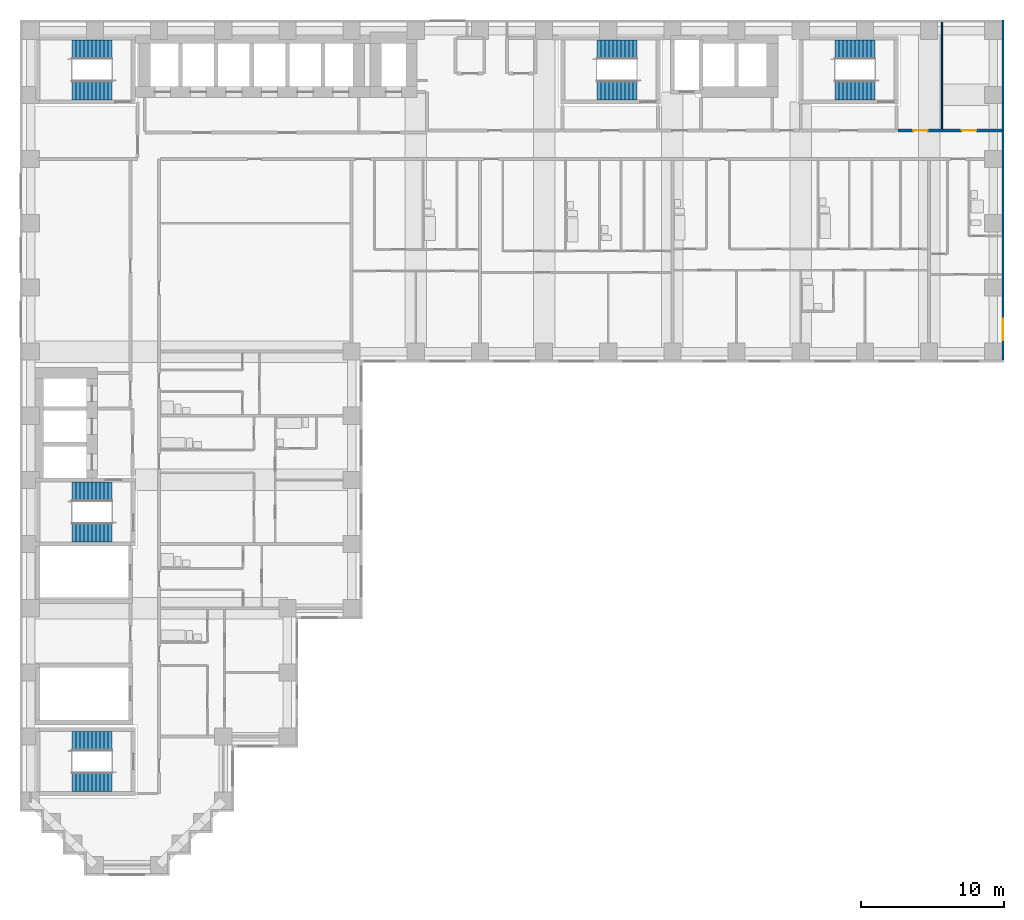
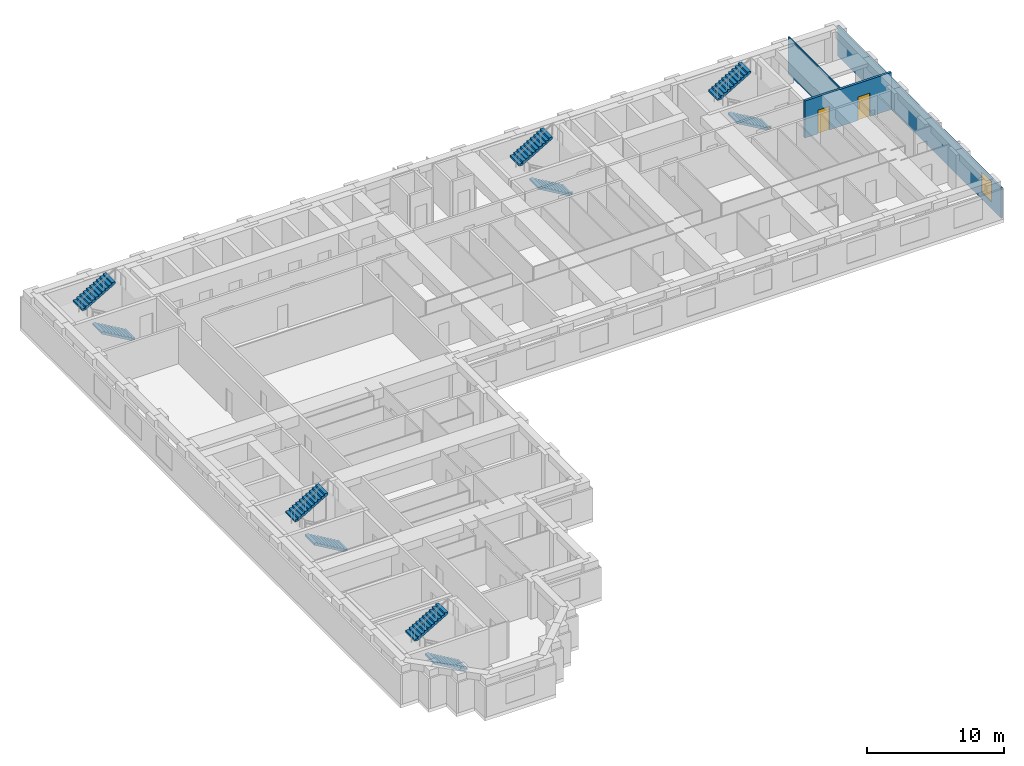
# One storey, part 9 of 11: 10 stair flights, 3 walls, 2 doors, 1 window, 3 openings, 5 elements without a shape of their own.
"""IFC4 building model written with IfcOpenShell, lengths in metres."""

import ifcopenshell
import ifcopenshell.guid

model = None  # the IFC model being written
_history = None  # IfcOwnerHistory: only IFC2X3 demands one
_inside = {}  # id of a spatial element -> (the spatial element, [elements in it])
_under = {}  # id of a project, library or spatial element -> (it, [spatial elements below it])
_declared = {}  # id of a project -> (the project, [libraries it declares])
_typed = {}  # id of a type object -> (the type object, [elements of that type])
_made_of = {}  # id of a material, layer set ... -> (it, [elements and type objects made of it])


def new_model(schema):
    """Start an empty IFC model of exactly this schema.

    Asked for "IFC4X3", IfcOpenShell would pick the latest addendum, in which some entities
    have other attributes; the version numbers below select the first issue.
    IFC2X3 requires an IfcOwnerHistory on every rooted entity: one is made here for all.
    """
    global model, _history
    if schema == "IFC4X3":
        model = ifcopenshell.file(schema_version=(4, 3, 0, 0))
    else:
        model = ifcopenshell.file(schema=schema)
    _inside.clear()
    _under.clear()
    _declared.clear()
    _typed.clear()
    _made_of.clear()
    _history = None
    if model.schema == "IFC2X3":
        org = make("IfcOrganization", Name="unknown")
        user = make(
            "IfcPersonAndOrganization",
            ThePerson=make("IfcPerson", FamilyName="unknown"),
            TheOrganization=org,
        )
        app = make(
            "IfcApplication",
            ApplicationDeveloper=org,
            Version="unknown",
            ApplicationFullName="unknown",
            ApplicationIdentifier="unknown",
        )
        _history = make(
            "IfcOwnerHistory",
            OwningUser=user,
            OwningApplication=app,
            ChangeAction="ADDED",
            CreationDate=0,
        )
    return model


def make(cls, **values):
    """One entity of the class cls with the attributes given. An attribute that is None is left unset."""
    return model.create_entity(
        cls, **{name: value for name, value in values.items() if value is not None}
    )


def rooted(cls, **values):
    """An entity with a GlobalId (a new one), such as an element, a storey or a relation."""
    return make(cls, GlobalId=ifcopenshell.guid.new(), OwnerHistory=_history, **values)


def si_unit(unit_type, name, prefix=None):
    """IfcSIUnit, for example si_unit("LENGTHUNIT", "METRE", prefix="MILLI")."""
    return make("IfcSIUnit", UnitType=unit_type, Prefix=prefix, Name=name)


def assignment(units):
    """IfcUnitAssignment: the units of a project."""
    return None if units is None else make("IfcUnitAssignment", Units=units)


def point(xyz):
    """IfcCartesianPoint."""
    return None if xyz is None else make("IfcCartesianPoint", Coordinates=xyz)


def direction(xyz):
    """IfcDirection."""
    return None if xyz is None else make("IfcDirection", DirectionRatios=xyz)


def frame(location, z_axis=None, x_axis=None):
    """IfcAxis2Placement3D, a coordinate frame: its origin and axes. An axis left out is left unset."""
    return make(
        "IfcAxis2Placement3D",
        Location=point(location),
        Axis=direction(z_axis),
        RefDirection=direction(x_axis),
    )


def frame_2d(location, x_axis=None):
    """IfcAxis2Placement2D, a coordinate frame in the plane: its origin and x axis."""
    return make(
        "IfcAxis2Placement2D", Location=point(location), RefDirection=direction(x_axis)
    )


def origin():
    """The frame at (0, 0, 0) with its axes left unset."""
    return frame((0.0, 0.0, 0.0))


def place(relative_to, where):
    """IfcLocalPlacement: puts the frame where relative to a parent placement (None: the world)."""
    return make(
        "IfcLocalPlacement", PlacementRelTo=relative_to, RelativePlacement=where
    )


def context(
    kind, dimensions, precision=None, world=None, true_north=None, identifier=None
):
    """IfcGeometricRepresentationContext, for example the 3D "Model" context."""
    return make(
        "IfcGeometricRepresentationContext",
        ContextIdentifier=identifier,
        ContextType=kind,
        CoordinateSpaceDimension=dimensions,
        Precision=precision,
        WorldCoordinateSystem=world,
        TrueNorth=true_north,
    )


def subcontext(parent, identifier, kind, view, scale=None):
    """IfcGeometricRepresentationSubContext, for example "Body" below "Model"."""
    return make(
        "IfcGeometricRepresentationSubContext",
        ContextIdentifier=identifier,
        ContextType=kind,
        ParentContext=parent,
        TargetScale=scale,
        TargetView=view,
    )


def project(units=None, contexts=None):
    """IfcProject with its units and contexts."""
    return rooted(
        "IfcProject",
        Name="project",
        RepresentationContexts=contexts,
        UnitsInContext=assignment(units),
    )


def spatial(cls, under=None, at=None, **own):
    """A site, building, storey or space (cls), placed at a placement, below another one or the project."""
    s = rooted(cls, ObjectPlacement=at, **own)
    if under is not None:
        _under.setdefault(under.id(), (under, []))[1].append(s)
    return s


def polyline(points):
    """IfcPolyline through the points."""
    return make("IfcPolyline", Points=[point(p) for p in points])


def profile(cls, at=None, kind="AREA", **sizes):
    """A parametric profile (cls). Its sizes go by their IFC names, for example OverallWidth=200.0."""
    return make(cls, ProfileType=kind, Position=at, **sizes)


def rectangle(**sizes):
    """IfcRectangleProfileDef."""
    return profile("IfcRectangleProfileDef", **sizes)


def outline(outer, holes=None, kind="AREA"):
    """IfcArbitraryClosedProfileDef: a profile drawn as a closed curve; with holes, ...WithVoids."""
    if holes is None:
        return make("IfcArbitraryClosedProfileDef", ProfileType=kind, OuterCurve=outer)
    return make(
        "IfcArbitraryProfileDefWithVoids",
        ProfileType=kind,
        OuterCurve=outer,
        InnerCurves=holes,
    )


def extrude(swept, where, along, depth):
    """IfcExtrudedAreaSolid: the profile swept, set in the frame where, extruded along a direction by depth."""
    return make(
        "IfcExtrudedAreaSolid",
        SweptArea=swept,
        Position=where,
        ExtrudedDirection=direction(along),
        Depth=depth,
    )


def shape(context_of_items, identifier, shape_type, items):
    """IfcShapeRepresentation: the items that make up one representation, for example the "Body"."""
    return make(
        "IfcShapeRepresentation",
        ContextOfItems=context_of_items,
        RepresentationIdentifier=identifier,
        RepresentationType=shape_type,
        Items=items,
    )


def material(Name=None, Category=None):
    """IfcMaterial."""
    return make("IfcMaterial", Name=Name, Category=Category)


def layer(
    of_material, thickness, ventilated=None, Name=None, Category=None, Priority=None
):
    """IfcMaterialLayer: one layer of a wall or slab, of a material (None: an air gap)."""
    return make(
        "IfcMaterialLayer",
        Material=of_material,
        LayerThickness=thickness,
        IsVentilated=ventilated,
        Name=Name,
        Category=Category,
        Priority=Priority,
    )


def layer_set(layers, Name=None):
    """IfcMaterialLayerSet."""
    return make("IfcMaterialLayerSet", MaterialLayers=layers, LayerSetName=Name)


def made_of(thing, what):
    """Note that an element or type object is made of a material, layer set ...; save() writes the relation."""
    if what is not None:
        _made_of.setdefault(what.id(), (what, []))[1].append(thing)
    return thing


def type_object(cls, material=None, **own):
    """A type object (cls), such as IfcWallType, which elements share."""
    return made_of(rooted(cls, **own), material)


def element(
    cls,
    number,
    at=None,
    inside=None,
    cuts=None,
    type_object=None,
    material=None,
    context=None,
    identifier="Body",
    shape_type=None,
    held_by="IfcProductDefinitionShape",
    body=None,
    shapes=None,
    **own,
):
    """One element of the class cls, such as IfcWall. Its Tag is "e" and its number.

    at: its placement. inside: the storey or other place that contains it. cuts: it is an
    opening in that element (IfcRelVoidsElement). A single representation is given by context,
    identifier, shape_type and body (its items); several are given by shapes. held_by: the class
    of the entity that holds the representations. save() writes the other relations.
    """
    e = rooted(cls, Tag="e%d" % number, ObjectPlacement=at, **own)
    if body is not None:
        shapes = [shape(context, identifier, shape_type, body)]
    if shapes is not None:
        e.Representation = make(held_by, Representations=shapes)
    if inside is not None:
        _inside.setdefault(inside.id(), (inside, []))[1].append(e)
    if cuts is not None:
        rooted(
            "IfcRelVoidsElement", RelatingBuildingElement=cuts, RelatedOpeningElement=e
        )
    if type_object is not None:
        _typed.setdefault(type_object.id(), (type_object, []))[1].append(e)
    return made_of(e, material)


def fill(opening, filler):
    """IfcRelFillsElement: the door or window that sits in an opening."""
    return rooted(
        "IfcRelFillsElement",
        RelatingOpeningElement=opening,
        RelatedBuildingElement=filler,
    )


def aggregate(whole, parts):
    """IfcRelAggregates: a whole, such as a stair, and the parts it consists of."""
    return rooted("IfcRelAggregates", RelatingObject=whole, RelatedObjects=parts)


def save(model, path):
    """Write the relations noted so far, then the file.

    IfcRelAggregates (storeys below a building ...), IfcRelContainedInSpatialStructure (elements
    in a storey), IfcRelDefinesByType, IfcRelAssociatesMaterial and IfcRelDeclares: one each for
    every whole, place, type object, material and project.
    """
    for whole, parts in _under.values():
        aggregate(whole, parts)
    for where, things in _inside.values():
        rooted(
            "IfcRelContainedInSpatialStructure",
            RelatedElements=things,
            RelatingStructure=where,
        )
    for kind, things in _typed.values():
        rooted("IfcRelDefinesByType", RelatedObjects=things, RelatingType=kind)
    for what, things in _made_of.values():
        rooted("IfcRelAssociatesMaterial", RelatedObjects=things, RelatingMaterial=what)
    for by, libraries in _declared.values():
        rooted("IfcRelDeclares", RelatingContext=by, RelatedDefinitions=libraries)
    model.write(path)


model = new_model("IFC4")

# Units and contexts
model_context = context("Model", 3, precision=1e-05, world=origin(), true_north=direction((0.0, 1.0)))
body_context = subcontext(model_context, "Body", "Model", "MODEL_VIEW")
ifc_project = project(units=[si_unit("LENGTHUNIT", "METRE"), si_unit("AREAUNIT", "SQUARE_METRE"), si_unit("VOLUMEUNIT", "CUBIC_METRE"), si_unit("PLANEANGLEUNIT", "RADIAN"), si_unit("MASSUNIT", "GRAM", prefix="KILO")], contexts=[model_context])

# Site, building, storey
site_placement = place(None, origin())
site = spatial("IfcSite", under=ifc_project, at=site_placement, CompositionType="ELEMENT")
building_placement = place(site_placement, origin())
building = spatial("IfcBuilding", under=site, at=building_placement, Name="Firuza Court", CompositionType="ELEMENT")
storey_placement = place(building_placement, frame((0.0, 0.0, 86.60009765625)))
storey = spatial("IfcBuildingStorey", under=building, at=storey_placement, Name="L21", CompositionType="ELEMENT", Elevation=86.60009765625)

# Wall, openings, doors
ifc_material_1 = material(Name="Blockwork, plastered both sides", Category="masonry")
ifc_layer_1 = layer(ifc_material_1, 0.199951171875)
ifc_layer_set_1 = layer_set([ifc_layer_1], Name="Blockwork, plastered both sides")
wall_type_1 = type_object("IfcWallType", Name="Corridor wall 200", PredefinedType="PARTITIONING", material=ifc_layer_set_1)
wall_1_placement = place(storey_placement, frame((60.800048828125, 51.5, 0.0), z_axis=(0.0, 0.0, 1.0), x_axis=(1.0, 0.0, 0.0)))
wall_1 = element("IfcWall", 1, at=wall_1_placement, inside=storey, type_object=wall_type_1, Name="Corridor wall 200 L21", PredefinedType="PARTITIONING", context=body_context, shape_type="SweptSolid", body=[
    extrude(rectangle(XDim=7.300048828125, YDim=0.199951171875, at=frame_2d((3.64990234375, 0.0))), origin(), (0.0, 0.0, 1.0), 3.2998046875),
])
opening_1_placement = place(wall_1_placement, frame((1.10009765625, 0.0, 0.0)))
opening_1 = element("IfcOpeningElement", 2, at=opening_1_placement, cuts=wall_1, Name="Opening D21076", PredefinedType="OPENING", context=body_context, shape_type="SweptSolid", body=[
    extrude(rectangle(XDim=1.0, YDim=2.10009765625, at=frame_2d((0.5, 1.050048828125))), frame((0.0, 0.11181640625, 0.0), z_axis=(0.0, -1.0, 0.0), x_axis=(1.0, 0.0, 0.0)), (0.0, 0.0, 1.0), 0.223876953125),
])
opening_2_placement = place(wall_1_placement, frame((4.5, 0.0, 0.0)))
opening_2 = element("IfcOpeningElement", 3, at=opening_2_placement, cuts=wall_1, Name="Opening D21077", PredefinedType="OPENING", context=body_context, shape_type="SweptSolid", body=[
    extrude(rectangle(XDim=1.0, YDim=2.10009765625, at=frame_2d((0.5, 1.050048828125))), frame((0.0, 0.11181640625, 0.0), z_axis=(0.0, -1.0, 0.0), x_axis=(1.0, 0.0, 0.0)), (0.0, 0.0, 1.0), 0.223876953125),
])
ifc_material_2 = material(Name="Timber door leaf in hardwood frame", Category="wood")
door_type = type_object("IfcDoorType", Name="Store door 1000", OperationType="SINGLE_SWING_LEFT", PredefinedType="DOOR", material=ifc_material_2)
door_1_placement = place(opening_1_placement, origin())
door_1 = element("IfcDoor", 4, at=door_1_placement, inside=storey, type_object=door_type, Name="Parcel room door", OperationType="SINGLE_SWING_LEFT", OverallHeight=2.10009765625, OverallWidth=1.0, PredefinedType="DOOR", context=body_context, shape_type="SweptSolid", body=[
    extrude(rectangle(XDim=1.0, YDim=2.10009765625, at=frame_2d((0.5, 1.050048828125))), frame((0.0, 0.02490234375, 0.0), z_axis=(0.0, -1.0, 0.0), x_axis=(1.0, 0.0, 0.0)), (0.0, 0.0, 1.0), 0.050048828125),
])
fill(opening_1, door_1)
door_2_placement = place(opening_2_placement, origin())
door_2 = element("IfcDoor", 5, at=door_2_placement, inside=storey, type_object=door_type, Name="Cleaner's store door", OperationType="SINGLE_SWING_LEFT", OverallHeight=2.10009765625, OverallWidth=1.0, PredefinedType="DOOR", context=body_context, shape_type="SweptSolid", body=[
    extrude(rectangle(XDim=1.0, YDim=2.10009765625, at=frame_2d((0.5, 1.050048828125))), frame((0.0, 0.02490234375, 0.0), z_axis=(0.0, -1.0, 0.0), x_axis=(1.0, 0.0, 0.0)), (0.0, 0.0, 1.0), 0.050048828125),
])
fill(opening_2, door_2)

# Wall
ifc_material_3 = material(Name="Timber stud partition, plasterboard both sides", Category="wood")
ifc_layer_2 = layer(ifc_material_3, 0.10009765625)
ifc_layer_set_2 = layer_set([ifc_layer_2], Name="Timber stud partition, plasterboard both sides")
wall_type_2 = type_object("IfcWallType", Name="Partition wall 100", PredefinedType="PARTITIONING", material=ifc_layer_set_2)
wall_2_placement = place(storey_placement, frame((63.89990234375, 51.60009765625, 0.0), z_axis=(0.0, 0.0, 1.0), x_axis=(0.0, 1.0, 0.0)))
element("IfcWall", 6, at=wall_2_placement, inside=storey, type_object=wall_type_2, Name="Partition wall 100 L21", PredefinedType="PARTITIONING", context=body_context, shape_type="SweptSolid", body=[
    extrude(rectangle(XDim=7.5, YDim=0.10009765625, at=frame_2d((3.75, 0.0))), origin(), (0.0, 0.0, 1.0), 3.2998046875),
])

# Wall, opening, window
ifc_material_4 = material(Name="Ceramic tile", Category="ceramic")
ifc_layer_3 = layer(ifc_material_4, 0.02001953125)
ifc_material_5 = material(Name="Mineral wool insulation", Category="insulation")
ifc_layer_4 = layer(ifc_material_5, 0.050048828125)
ifc_material_6 = material(Name="Concrete C40/50 precast", Category="concrete")
ifc_layer_5 = layer(ifc_material_6, 0.080078125)
ifc_layer_set_3 = layer_set([ifc_layer_3, ifc_layer_4, ifc_layer_5], Name="Concrete C40/50 precast")
wall_type_3 = type_object("IfcWallType", Name="Precast cladding wall with turquoise TILE PANEL face 150", PredefinedType="STANDARD", material=ifc_layer_set_3)
wall_3_placement = place(storey_placement, frame((68.175048828125, 35.39990234375, 0.0), z_axis=(0.0, 0.0, 1.0), x_axis=(0.0, 1.0, 0.0)))
wall_3 = element("IfcWall", 7, at=wall_3_placement, inside=storey, type_object=wall_type_3, Name="Facade wall L21 E", PredefinedType="STANDARD", context=body_context, shape_type="SweptSolid", body=[
    extrude(rectangle(XDim=23.85009765625, YDim=0.14990234375, at=frame_2d((11.925048828125, 0.0))), origin(), (0.0, 0.0, 1.0), 2.699951171875),
])
opening_3_placement = place(wall_3_placement, frame((1.4033203125, 0.0, 0.60009765625)))
opening_3 = element("IfcOpeningElement", 8, at=opening_3_placement, cuts=wall_3, Name="Opening W2", PredefinedType="OPENING", context=body_context, shape_type="SweptSolid", body=[
    extrude(rectangle(XDim=1.5, YDim=1.800048828125, at=frame_2d((0.75, 0.89990234375))), frame((0.0, 0.0869140625, 0.0), z_axis=(0.0, -1.0, 0.0), x_axis=(1.0, 0.0, 0.0)), (0.0, 0.0, 1.0), 0.173828125),
])
ifc_material_7 = material(Name="Aluminium frame, triple clear glazing", Category="aluminium")
window_type = type_object("IfcWindowType", Name="Window W2 1500 x 1800", PartitioningType="SINGLE_PANEL", PredefinedType="WINDOW", material=ifc_material_7)
window_placement = place(opening_3_placement, origin())
window = element("IfcWindow", 9, at=window_placement, inside=storey, type_object=window_type, Name="Window L21", OverallHeight=1.800048828125, OverallWidth=1.5, PartitioningType="SINGLE_PANEL", PredefinedType="WINDOW", context=body_context, shape_type="SweptSolid", body=[
    extrude(rectangle(XDim=1.5, YDim=1.800048828125, at=frame_2d((0.75, 0.89990234375))), frame((0.0, 0.030029296875, 0.0), z_axis=(0.0, -1.0, 0.0), x_axis=(1.0, 0.0, 0.0)), (0.0, 0.0, 1.0), 0.06005859375),
])
fill(opening_3, window)

# Stair, stair flights
ifc_material_8 = material(Name="Concrete C40/50 precast", Category="concrete")
stair_type = type_object("IfcStairType", Name="Stair 1350 x 3600 2 flights", PredefinedType="HALF_TURN_STAIR", material=ifc_material_8)
stair_1_placement = place(storey_placement, origin())
stair_1 = element("IfcStair", 10, at=stair_1_placement, inside=storey, type_object=stair_type, Name="Stair 1 L21", PredefinedType="HALF_TURN_STAIR")
ifc_material_9 = material(Name="Concrete C40/50 precast", Category="concrete")
stair_flight_type = type_object("IfcStairFlightType", Name="Flight 1350 riser 163.6", PredefinedType="STRAIGHT", material=ifc_material_9)
stair_flight_1_placement = place(storey_placement, frame((42.5, 54.324951171875, 0.0), z_axis=(0.0, 0.0, 1.0), x_axis=(-1.0, 0.0, 0.0)))
stair_flight_1 = element("IfcStairFlight", 11, at=stair_flight_1_placement, type_object=stair_flight_type, Name="S1 flight 1", NumberOfRisers=11, NumberOfTreads=10, PredefinedType="STRAIGHT", RiserHeight=0.163636364, TreadLength=0.28, context=body_context, shape_type="SweptSolid", body=[
    extrude(outline(polyline([(0.0, 0.0), (0.0, 0.16357421875), (0.280029296875, 0.16357421875), (0.280029296875, 0.327392578125), (0.56005859375, 0.327392578125), (0.56005859375, 0.490966796875), (0.840087890625, 0.490966796875), (0.840087890625, 0.654541015625), (1.1201171875, 0.654541015625), (1.1201171875, 0.818115234375), (1.39990234375, 0.818115234375), (1.39990234375, 0.98193359375), (1.679931640625, 0.98193359375), (1.679931640625, 1.1455078125), (1.9599609375, 1.1455078125), (1.9599609375, 1.30908203125), (2.239990234375, 1.30908203125), (2.239990234375, 1.47265625), (2.52001953125, 1.47265625), (2.52001953125, 1.636474609375), (2.800048828125, 1.636474609375), (2.800048828125, 1.800048828125), (2.800048828125, 1.462646484375), (0.297119140625, 0.0), (0.0, 0.0)])), frame((0.0, 0.675048828125, 0.0), z_axis=(0.0, -1.0, 0.0), x_axis=(1.0, 0.0, 0.0)), (0.0, 0.0, 1.0), 1.35009765625),
])
stair_flight_2_placement = place(storey_placement, frame((39.699951171875, 57.175048828125, 1.7998046875), z_axis=(0.0, 0.0, 1.0), x_axis=(1.0, 0.0, 0.0)))
stair_flight_2 = element("IfcStairFlight", 12, at=stair_flight_2_placement, type_object=stair_flight_type, Name="S1 flight 2", NumberOfRisers=11, NumberOfTreads=10, PredefinedType="STRAIGHT", RiserHeight=0.163636364, TreadLength=0.28, context=body_context, shape_type="SweptSolid", body=[
    extrude(outline(polyline([(0.0, 0.0), (0.0, 0.16357421875), (0.280029296875, 0.16357421875), (0.280029296875, 0.327392578125), (0.56005859375, 0.327392578125), (0.56005859375, 0.490966796875), (0.840087890625, 0.490966796875), (0.840087890625, 0.654541015625), (1.1201171875, 0.654541015625), (1.1201171875, 0.818115234375), (1.39990234375, 0.818115234375), (1.39990234375, 0.98193359375), (1.679931640625, 0.98193359375), (1.679931640625, 1.1455078125), (1.9599609375, 1.1455078125), (1.9599609375, 1.30908203125), (2.239990234375, 1.30908203125), (2.239990234375, 1.47265625), (2.52001953125, 1.47265625), (2.52001953125, 1.636474609375), (2.800048828125, 1.636474609375), (2.800048828125, 1.800048828125), (2.800048828125, 1.462646484375), (0.297119140625, 0.0), (0.0, 0.0)])), frame((0.0, 0.675048828125, 0.0), z_axis=(0.0, -1.0, 0.0), x_axis=(1.0, 0.0, 0.0)), (0.0, 0.0, 1.0), 1.35009765625),
])
aggregate(stair_1, [stair_flight_1, stair_flight_2])

stair_2_placement = place(storey_placement, origin())
stair_2 = element("IfcStair", 13, at=stair_2_placement, inside=storey, type_object=stair_type, Name="Stair 2 L21", PredefinedType="HALF_TURN_STAIR")
stair_flight_3_placement = place(storey_placement, frame((5.699951171875, 23.324951171875, 0.0), z_axis=(0.0, 0.0, 1.0), x_axis=(-1.0, 0.0, 0.0)))
stair_flight_3 = element("IfcStairFlight", 14, at=stair_flight_3_placement, type_object=stair_flight_type, Name="S2 flight 1", NumberOfRisers=11, NumberOfTreads=10, PredefinedType="STRAIGHT", RiserHeight=0.163636364, TreadLength=0.28, context=body_context, shape_type="SweptSolid", body=[
    extrude(outline(polyline([(0.0, 0.0), (0.0, 0.16357421875), (0.280029296875, 0.16357421875), (0.280029296875, 0.327392578125), (0.56005859375, 0.327392578125), (0.56005859375, 0.490966796875), (0.840087890625, 0.490966796875), (0.840087890625, 0.654541015625), (1.1201171875, 0.654541015625), (1.1201171875, 0.818115234375), (1.39990234375, 0.818115234375), (1.39990234375, 0.98193359375), (1.679931640625, 0.98193359375), (1.679931640625, 1.1455078125), (1.9599609375, 1.1455078125), (1.9599609375, 1.30908203125), (2.239990234375, 1.30908203125), (2.239990234375, 1.47265625), (2.52001953125, 1.47265625), (2.52001953125, 1.636474609375), (2.800048828125, 1.636474609375), (2.800048828125, 1.800048828125), (2.800048828125, 1.462646484375), (0.297119140625, 0.0), (0.0, 0.0)])), frame((0.0, 0.675048828125, 0.0), z_axis=(0.0, -1.0, 0.0), x_axis=(1.0, 0.0, 0.0)), (0.0, 0.0, 1.0), 1.35009765625),
])
stair_flight_4_placement = place(storey_placement, frame((2.89990234375, 26.175048828125, 1.7998046875), z_axis=(0.0, 0.0, 1.0), x_axis=(1.0, 0.0, 0.0)))
stair_flight_4 = element("IfcStairFlight", 15, at=stair_flight_4_placement, type_object=stair_flight_type, Name="S2 flight 2", NumberOfRisers=11, NumberOfTreads=10, PredefinedType="STRAIGHT", RiserHeight=0.163636364, TreadLength=0.28, context=body_context, shape_type="SweptSolid", body=[
    extrude(outline(polyline([(0.0, 0.0), (0.0, 0.16357421875), (0.280029296875, 0.16357421875), (0.280029296875, 0.327392578125), (0.56005859375, 0.327392578125), (0.56005859375, 0.490966796875), (0.840087890625, 0.490966796875), (0.840087890625, 0.654541015625), (1.1201171875, 0.654541015625), (1.1201171875, 0.818115234375), (1.39990234375, 0.818115234375), (1.39990234375, 0.98193359375), (1.679931640625, 0.98193359375), (1.679931640625, 1.1455078125), (1.9599609375, 1.1455078125), (1.9599609375, 1.30908203125), (2.239990234375, 1.30908203125), (2.239990234375, 1.47265625), (2.52001953125, 1.47265625), (2.52001953125, 1.636474609375), (2.800048828125, 1.636474609375), (2.800048828125, 1.800048828125), (2.800048828125, 1.462646484375), (0.297119140625, 0.0), (0.0, 0.0)])), frame((0.0, 0.675048828125, 0.0), z_axis=(0.0, -1.0, 0.0), x_axis=(1.0, 0.0, 0.0)), (0.0, 0.0, 1.0), 1.35009765625),
])
aggregate(stair_2, [stair_flight_3, stair_flight_4])

stair_3_placement = place(storey_placement, origin())
stair_3 = element("IfcStair", 16, at=stair_3_placement, inside=storey, type_object=stair_type, Name="Stair 3 L21", PredefinedType="HALF_TURN_STAIR")
stair_flight_5_placement = place(storey_placement, frame((5.699951171875, 54.324951171875, 0.0), z_axis=(0.0, 0.0, 1.0), x_axis=(-1.0, 0.0, 0.0)))
stair_flight_5 = element("IfcStairFlight", 17, at=stair_flight_5_placement, type_object=stair_flight_type, Name="S3 flight 1", NumberOfRisers=11, NumberOfTreads=10, PredefinedType="STRAIGHT", RiserHeight=0.163636364, TreadLength=0.28, context=body_context, shape_type="SweptSolid", body=[
    extrude(outline(polyline([(0.0, 0.0), (0.0, 0.16357421875), (0.280029296875, 0.16357421875), (0.280029296875, 0.327392578125), (0.56005859375, 0.327392578125), (0.56005859375, 0.490966796875), (0.840087890625, 0.490966796875), (0.840087890625, 0.654541015625), (1.1201171875, 0.654541015625), (1.1201171875, 0.818115234375), (1.39990234375, 0.818115234375), (1.39990234375, 0.98193359375), (1.679931640625, 0.98193359375), (1.679931640625, 1.1455078125), (1.9599609375, 1.1455078125), (1.9599609375, 1.30908203125), (2.239990234375, 1.30908203125), (2.239990234375, 1.47265625), (2.52001953125, 1.47265625), (2.52001953125, 1.636474609375), (2.800048828125, 1.636474609375), (2.800048828125, 1.800048828125), (2.800048828125, 1.462646484375), (0.297119140625, 0.0), (0.0, 0.0)])), frame((0.0, 0.675048828125, 0.0), z_axis=(0.0, -1.0, 0.0), x_axis=(1.0, 0.0, 0.0)), (0.0, 0.0, 1.0), 1.35009765625),
])
stair_flight_6_placement = place(storey_placement, frame((2.89990234375, 57.175048828125, 1.7998046875), z_axis=(0.0, 0.0, 1.0), x_axis=(1.0, 0.0, 0.0)))
stair_flight_6 = element("IfcStairFlight", 18, at=stair_flight_6_placement, type_object=stair_flight_type, Name="S3 flight 2", NumberOfRisers=11, NumberOfTreads=10, PredefinedType="STRAIGHT", RiserHeight=0.163636364, TreadLength=0.28, context=body_context, shape_type="SweptSolid", body=[
    extrude(outline(polyline([(0.0, 0.0), (0.0, 0.16357421875), (0.280029296875, 0.16357421875), (0.280029296875, 0.327392578125), (0.56005859375, 0.327392578125), (0.56005859375, 0.490966796875), (0.840087890625, 0.490966796875), (0.840087890625, 0.654541015625), (1.1201171875, 0.654541015625), (1.1201171875, 0.818115234375), (1.39990234375, 0.818115234375), (1.39990234375, 0.98193359375), (1.679931640625, 0.98193359375), (1.679931640625, 1.1455078125), (1.9599609375, 1.1455078125), (1.9599609375, 1.30908203125), (2.239990234375, 1.30908203125), (2.239990234375, 1.47265625), (2.52001953125, 1.47265625), (2.52001953125, 1.636474609375), (2.800048828125, 1.636474609375), (2.800048828125, 1.800048828125), (2.800048828125, 1.462646484375), (0.297119140625, 0.0), (0.0, 0.0)])), frame((0.0, 0.675048828125, 0.0), z_axis=(0.0, -1.0, 0.0), x_axis=(1.0, 0.0, 0.0)), (0.0, 0.0, 1.0), 1.35009765625),
])
aggregate(stair_3, [stair_flight_5, stair_flight_6])

stair_4_placement = place(storey_placement, origin())
stair_4 = element("IfcStair", 19, at=stair_4_placement, inside=storey, type_object=stair_type, Name="Stair 4 L21", PredefinedType="HALF_TURN_STAIR")
stair_flight_7_placement = place(storey_placement, frame((59.199951171875, 54.324951171875, 0.0), z_axis=(0.0, 0.0, 1.0), x_axis=(-1.0, 0.0, 0.0)))
stair_flight_7 = element("IfcStairFlight", 20, at=stair_flight_7_placement, type_object=stair_flight_type, Name="S4 flight 1", NumberOfRisers=11, NumberOfTreads=10, PredefinedType="STRAIGHT", RiserHeight=0.163636364, TreadLength=0.28, context=body_context, shape_type="SweptSolid", body=[
    extrude(outline(polyline([(0.0, 0.0), (0.0, 0.16357421875), (0.280029296875, 0.16357421875), (0.280029296875, 0.327392578125), (0.56005859375, 0.327392578125), (0.56005859375, 0.490966796875), (0.840087890625, 0.490966796875), (0.840087890625, 0.654541015625), (1.1201171875, 0.654541015625), (1.1201171875, 0.818115234375), (1.39990234375, 0.818115234375), (1.39990234375, 0.98193359375), (1.679931640625, 0.98193359375), (1.679931640625, 1.1455078125), (1.9599609375, 1.1455078125), (1.9599609375, 1.30908203125), (2.239990234375, 1.30908203125), (2.239990234375, 1.47265625), (2.52001953125, 1.47265625), (2.52001953125, 1.636474609375), (2.800048828125, 1.636474609375), (2.800048828125, 1.800048828125), (2.800048828125, 1.462646484375), (0.297119140625, 0.0), (0.0, 0.0)])), frame((0.0, 0.675048828125, 0.0), z_axis=(0.0, -1.0, 0.0), x_axis=(1.0, 0.0, 0.0)), (0.0, 0.0, 1.0), 1.35009765625),
])
stair_flight_8_placement = place(storey_placement, frame((56.39990234375, 57.175048828125, 1.7998046875), z_axis=(0.0, 0.0, 1.0), x_axis=(1.0, 0.0, 0.0)))
stair_flight_8 = element("IfcStairFlight", 21, at=stair_flight_8_placement, type_object=stair_flight_type, Name="S4 flight 2", NumberOfRisers=11, NumberOfTreads=10, PredefinedType="STRAIGHT", RiserHeight=0.163636364, TreadLength=0.28, context=body_context, shape_type="SweptSolid", body=[
    extrude(outline(polyline([(0.0, 0.0), (0.0, 0.16357421875), (0.280029296875, 0.16357421875), (0.280029296875, 0.327392578125), (0.56005859375, 0.327392578125), (0.56005859375, 0.490966796875), (0.840087890625, 0.490966796875), (0.840087890625, 0.654541015625), (1.1201171875, 0.654541015625), (1.1201171875, 0.818115234375), (1.39990234375, 0.818115234375), (1.39990234375, 0.98193359375), (1.679931640625, 0.98193359375), (1.679931640625, 1.1455078125), (1.9599609375, 1.1455078125), (1.9599609375, 1.30908203125), (2.239990234375, 1.30908203125), (2.239990234375, 1.47265625), (2.52001953125, 1.47265625), (2.52001953125, 1.636474609375), (2.800048828125, 1.636474609375), (2.800048828125, 1.800048828125), (2.800048828125, 1.462646484375), (0.297119140625, 0.0), (0.0, 0.0)])), frame((0.0, 0.675048828125, 0.0), z_axis=(0.0, -1.0, 0.0), x_axis=(1.0, 0.0, 0.0)), (0.0, 0.0, 1.0), 1.35009765625),
])
aggregate(stair_4, [stair_flight_7, stair_flight_8])

stair_5_placement = place(storey_placement, origin())
stair_5 = element("IfcStair", 22, at=stair_5_placement, inside=storey, type_object=stair_type, Name="Stair 5 L21", PredefinedType="HALF_TURN_STAIR")
stair_flight_9_placement = place(storey_placement, frame((5.699951171875, 5.824951171875, 0.0), z_axis=(0.0, 0.0, 1.0), x_axis=(-1.0, 0.0, 0.0)))
stair_flight_9 = element("IfcStairFlight", 23, at=stair_flight_9_placement, type_object=stair_flight_type, Name="S5 flight 1", NumberOfRisers=11, NumberOfTreads=10, PredefinedType="STRAIGHT", RiserHeight=0.163636364, TreadLength=0.28, context=body_context, shape_type="SweptSolid", body=[
    extrude(outline(polyline([(0.0, 0.0), (0.0, 0.16357421875), (0.280029296875, 0.16357421875), (0.280029296875, 0.327392578125), (0.56005859375, 0.327392578125), (0.56005859375, 0.490966796875), (0.840087890625, 0.490966796875), (0.840087890625, 0.654541015625), (1.1201171875, 0.654541015625), (1.1201171875, 0.818115234375), (1.39990234375, 0.818115234375), (1.39990234375, 0.98193359375), (1.679931640625, 0.98193359375), (1.679931640625, 1.1455078125), (1.9599609375, 1.1455078125), (1.9599609375, 1.30908203125), (2.239990234375, 1.30908203125), (2.239990234375, 1.47265625), (2.52001953125, 1.47265625), (2.52001953125, 1.636474609375), (2.800048828125, 1.636474609375), (2.800048828125, 1.800048828125), (2.800048828125, 1.462646484375), (0.297119140625, 0.0), (0.0, 0.0)])), frame((0.0, 0.675048828125, 0.0), z_axis=(0.0, -1.0, 0.0), x_axis=(1.0, 0.0, 0.0)), (0.0, 0.0, 1.0), 1.35009765625),
])
stair_flight_10_placement = place(storey_placement, frame((2.89990234375, 8.675048828125, 1.7998046875), z_axis=(0.0, 0.0, 1.0), x_axis=(1.0, 0.0, 0.0)))
stair_flight_10 = element("IfcStairFlight", 24, at=stair_flight_10_placement, type_object=stair_flight_type, Name="S5 flight 2", NumberOfRisers=11, NumberOfTreads=10, PredefinedType="STRAIGHT", RiserHeight=0.163636364, TreadLength=0.28, context=body_context, shape_type="SweptSolid", body=[
    extrude(outline(polyline([(0.0, 0.0), (0.0, 0.16357421875), (0.280029296875, 0.16357421875), (0.280029296875, 0.327392578125), (0.56005859375, 0.327392578125), (0.56005859375, 0.490966796875), (0.840087890625, 0.490966796875), (0.840087890625, 0.654541015625), (1.1201171875, 0.654541015625), (1.1201171875, 0.818115234375), (1.39990234375, 0.818115234375), (1.39990234375, 0.98193359375), (1.679931640625, 0.98193359375), (1.679931640625, 1.1455078125), (1.9599609375, 1.1455078125), (1.9599609375, 1.30908203125), (2.239990234375, 1.30908203125), (2.239990234375, 1.47265625), (2.52001953125, 1.47265625), (2.52001953125, 1.636474609375), (2.800048828125, 1.636474609375), (2.800048828125, 1.800048828125), (2.800048828125, 1.462646484375), (0.297119140625, 0.0), (0.0, 0.0)])), frame((0.0, 0.675048828125, 0.0), z_axis=(0.0, -1.0, 0.0), x_axis=(1.0, 0.0, 0.0)), (0.0, 0.0, 1.0), 1.35009765625),
])
aggregate(stair_5, [stair_flight_9, stair_flight_10])

save(model, "model.ifc")
